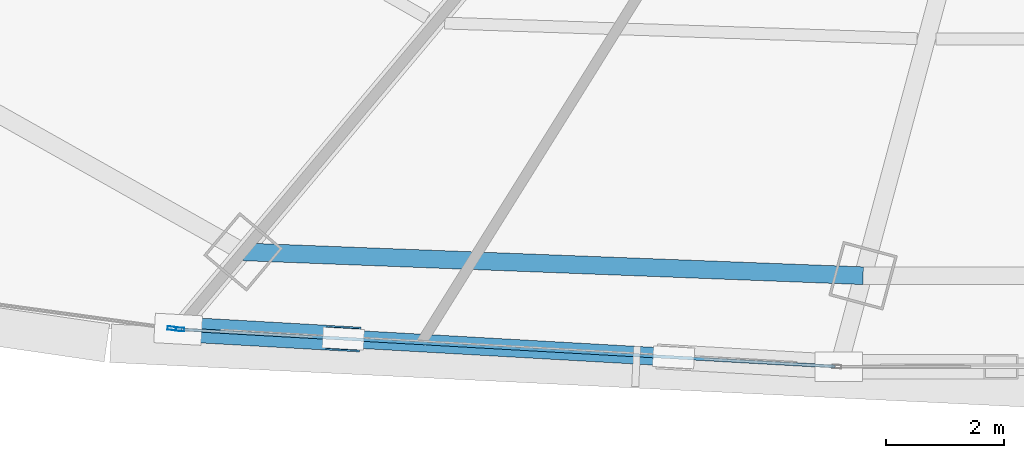
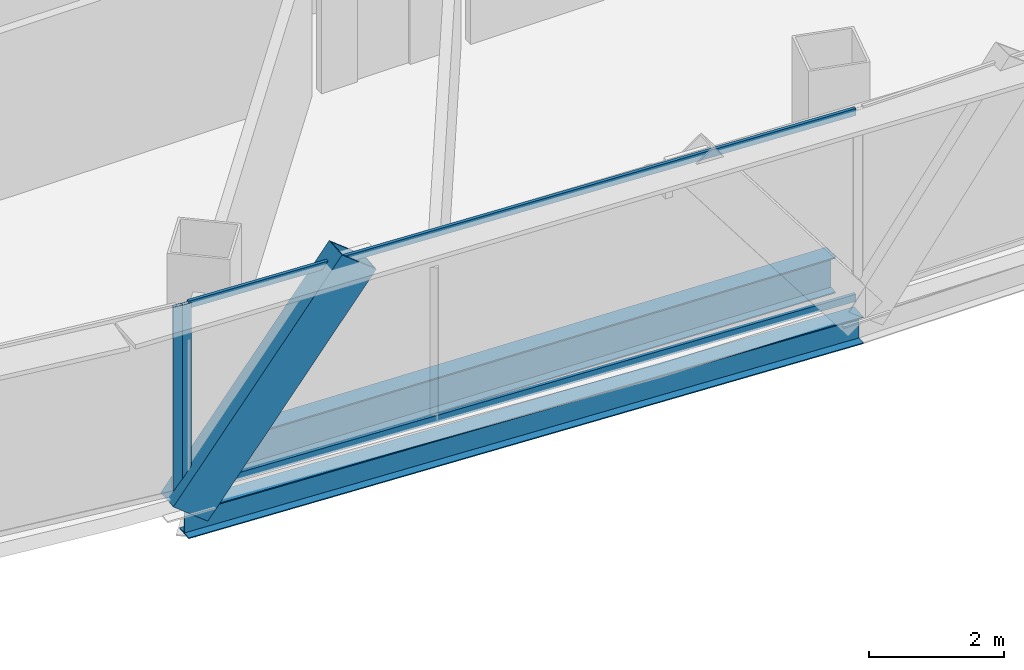
# One storey, part 6 of 39: 5 members, 2 beams, 2 elements without a shape of their own.
"""IFC4 building model written with IfcOpenShell, lengths in metres."""

from ifc_helpers import new_model, si_unit, direction, frame, origin, origin_2d, place, context, subcontext, project, spatial, hollow_rectangle, i_section, extrude, source, transform, mapped, material, layer, layer_set, material_profile, profile_set, type_object, element, aggregate, save


model = new_model("IFC4")

# Units and contexts
model_context = context("Model", 3, precision=1e-05, world=origin(), true_north=direction((0.0, 1.0)))
body_context = subcontext(model_context, "Body", "Model", "MODEL_VIEW")
ifc_project = project(units=[si_unit("LENGTHUNIT", "METRE"), si_unit("AREAUNIT", "SQUARE_METRE"), si_unit("VOLUMEUNIT", "CUBIC_METRE"), si_unit("PLANEANGLEUNIT", "RADIAN"), si_unit("MASSUNIT", "GRAM", prefix="KILO"), si_unit("THERMODYNAMICTEMPERATUREUNIT", "KELVIN"), si_unit("POWERUNIT", "WATT")], contexts=[model_context])

# Site, building, storey
site_placement = place(None, origin())
site = spatial("IfcSite", under=ifc_project, at=site_placement, CompositionType="ELEMENT")
building_placement = place(site_placement, origin())
building = spatial("IfcBuilding", under=site, at=building_placement, Name="Yunzhuo Pagoda Commons", CompositionType="ELEMENT")
storey_placement = place(building_placement, frame((0.0, 0.0, 144.550048828125)))
storey = spatial("IfcBuildingStorey", under=building, at=storey_placement, Name="L36", CompositionType="ELEMENT", Elevation=144.550048828125)

# Beams
ifc_material_1 = material(Name="Structural steel Q355B", Category="steel")
ifc_material_profile_1 = material_profile(ifc_material_1, i_section(OverallWidth=0.300048828125, OverallDepth=0.64990234375, WebThickness=0.012939453125, FlangeThickness=0.02197265625, at=origin_2d()), Name="Structural steel Q355B")
ifc_profile_set_1 = profile_set([ifc_material_profile_1], Name="Structural steel Q355B")
beam_type_1 = type_object("IfcBeamType", Name="B-RG2 Beam HN 650x300x13x22", PredefinedType="BEAM", material=ifc_profile_set_1)
shared_shape_1 = source(origin(), body_context, "Body", "SweptSolid", [
    extrude(i_section(OverallWidth=0.300048828125, OverallDepth=0.64990234375, WebThickness=0.012939453125, FlangeThickness=0.02197265625, at=origin_2d()), origin(), (0.0, 0.0, 1.0), 10.5078125),
])
beam_1_placement = place(storey_placement, frame((32.414794921875, 15.126220703125, -0.5849609375), z_axis=(0.999258632812, -0.03849915259, 0.0), x_axis=(0.03849915259, 0.999258632812, 0.0)))
element("IfcBeam", 1, at=beam_1_placement, inside=storey, type_object=beam_type_1, Name="L36 column-ring beam 1", PredefinedType="BEAM", context=body_context, shape_type="MappedRepresentation", body=[
    mapped(shared_shape_1, transform((0.0, 0.0, 0.0), scale=1.0)),
])
ifc_material_profile_2 = material_profile(ifc_material_1, i_section(OverallWidth=0.300048828125, OverallDepth=0.488037109375, WebThickness=0.010986328125, FlangeThickness=0.01806640625, at=origin_2d()), Name="Structural steel Q355B")
ifc_profile_set_2 = profile_set([ifc_material_profile_2], Name="Structural steel Q355B")
beam_type_2 = type_object("IfcBeamType", Name="B-SP1 Beam HM 488x300x11x18", PredefinedType="BEAM", material=ifc_profile_set_2)
shared_shape_2 = source(origin(), body_context, "Body", "SweptSolid", [
    extrude(i_section(OverallWidth=0.300048828125, OverallDepth=0.488037109375, WebThickness=0.010986328125, FlangeThickness=0.01806640625, at=origin_2d()), origin(), (0.0, 0.0, 1.0), 11.20556640625),
])
beam_2_placement = place(storey_placement, frame((31.314453125, 13.81494140625, -0.504150390625), z_axis=(0.998396692346, -0.056604281746, 0.0), x_axis=(0.056604281746, 0.998396692346, 0.0)))
element("IfcBeam", 2, at=beam_2_placement, inside=storey, type_object=beam_type_2, Name="L36 facade edge spandrel beam F1.1", PredefinedType="BEAM", context=body_context, shape_type="MappedRepresentation", body=[
    mapped(shared_shape_2, transform((0.0, 0.0, 0.0), scale=1.0)),
])

# Member
ifc_material_2 = material(Name="Structural steel Q420B", Category="steel")
ifc_material_profile_3 = material_profile(ifc_material_2, hollow_rectangle(XDim=0.419921875, YDim=0.719970703125, WallThickness=0.028076171875, at=origin_2d()), Name="Structural steel Q420B")
ifc_profile_set_3 = profile_set([ifc_material_profile_3], Name="Structural steel Q420B")
member_type_1 = type_object("IfcMemberType", Name="M-DL1 Brace BOX 720x420x28", PredefinedType="BRACE", material=ifc_profile_set_3)
shared_shape_3 = source(origin(), body_context, "Body", "SweptSolid", [
    extrude(hollow_rectangle(XDim=0.419921875, YDim=0.719970703125, WallThickness=0.028076171875, at=origin_2d()), origin(), (0.0, 0.0, 1.0), 4.625),
])
member_1_placement = place(storey_placement, frame((31.314453125, 13.81494140625, -0.260009765625), z_axis=(0.604744365937, -0.034312485847, 0.795680152563), x_axis=(0.056647717242, 0.998394228815, 0.0)))
element("IfcMember", 3, at=member_1_placement, inside=storey, type_object=member_type_1, Name="L36 facade diamond brace F1.1L", PredefinedType="BRACE", context=body_context, shape_type="MappedRepresentation", body=[
    mapped(shared_shape_3, transform((0.0, 0.0, 0.0), scale=1.0)),
])

# Curtain wall, member
ifc_material_3 = material(Name="Anodized aluminium 6063-T6", Category="aluminium")
ifc_layer = layer(ifc_material_3, 0.14990234375)
ifc_layer_set = layer_set([ifc_layer], Name="Anodized aluminium 6063-T6")
curtain_wall_type = type_object("IfcCurtainWallType", Name="CW-MID Mid-Zone Ribbon Curtain Wall", PredefinedType="NOTDEFINED", material=ifc_layer_set)
curtain_wall_1_placement = place(storey_placement, origin())
curtain_wall_1 = element("IfcCurtainWall", 4, at=curtain_wall_1_placement, inside=storey, type_object=curtain_wall_type, Name="L36 curtain wall CW-L36-F1B2", PredefinedType="NOTDEFINED")
ifc_material_profile_4 = material_profile(ifc_material_3, hollow_rectangle(XDim=0.06005859375, YDim=0.14990234375, WallThickness=0.00390625, at=origin_2d()), Name="Anodized aluminium 6063-T6")
ifc_profile_set_4 = profile_set([ifc_material_profile_4], Name="Anodized aluminium 6063-T6")
member_type_2 = type_object("IfcMemberType", Name="CW-MID-M Mullion RHS 150x60x4", PredefinedType="MULLION", material=ifc_profile_set_4)
shared_shape_4 = source(origin(), body_context, "Body", "SweptSolid", [
    extrude(hollow_rectangle(XDim=0.06005859375, YDim=0.14990234375, WallThickness=0.00390625, at=origin_2d()), origin(), (0.0, 0.0, 1.0), 3.419921875),
])
member_2_placement = place(storey_placement, frame((31.34423828125, 13.813232421875, 0.0), z_axis=(0.0, 0.0, 1.0), x_axis=(0.056597401536, 0.998397082397, 0.0)))
member_2 = element("IfcMember", 5, at=member_2_placement, type_object=member_type_2, Name="CW mullion 1", PredefinedType="MULLION", context=body_context, shape_type="MappedRepresentation", body=[
    mapped(shared_shape_4, transform((0.0, 0.0, 0.0), scale=1.0)),
])

curtain_wall_2_placement = place(storey_placement, origin())
curtain_wall_2 = element("IfcCurtainWall", 6, at=curtain_wall_2_placement, inside=storey, type_object=curtain_wall_type, Name="L36 curtain wall CW-L36-F1B1", PredefinedType="NOTDEFINED")
member_3_placement = place(storey_placement, frame((31.21044921875, 13.8291015625, 0.0), z_axis=(0.0, 0.0, 1.0), x_axis=(0.136220738131, 0.990678510165, 0.0)))
member_3 = element("IfcMember", 7, at=member_3_placement, type_object=member_type_2, Name="CW mullion 2", PredefinedType="MULLION", context=body_context, shape_type="MappedRepresentation", body=[
    mapped(shared_shape_4, transform((0.0, 0.0, 0.0), scale=1.0)),
])
aggregate(curtain_wall_2, [member_3])

# Member
ifc_material_profile_5 = material_profile(ifc_material_3, hollow_rectangle(XDim=0.054931640625, YDim=0.1298828125, WallThickness=0.00341796875, at=origin_2d()), Name="Anodized aluminium 6063-T6")
ifc_profile_set_5 = profile_set([ifc_material_profile_5], Name="Anodized aluminium 6063-T6")
member_type_3 = type_object("IfcMemberType", Name="CW-MID-T Transom RHS 130x55x3.5", PredefinedType="USERDEFINED", material=ifc_profile_set_5)
shared_shape_5 = source(origin(), body_context, "Body", "SweptSolid", [
    extrude(hollow_rectangle(XDim=0.054931640625, YDim=0.1298828125, WallThickness=0.00341796875, at=origin_2d()), origin(), (0.0, 0.0, 1.0), 11.085693359375),
])
member_4_placement = place(storey_placement, frame((31.374267578125, 13.8115234375, 0.02734375), z_axis=(0.998396965353, -0.056599466205, 0.0), x_axis=(0.056599466205, 0.998396965353, 0.0)))
member_4 = element("IfcMember", 8, at=member_4_placement, type_object=member_type_3, Name="CW transom 1.1", ObjectType="TRANSOM", PredefinedType="USERDEFINED", context=body_context, shape_type="MappedRepresentation", body=[
    mapped(shared_shape_5, transform((0.0, 0.0, 0.0), scale=1.0)),
])

member_5_placement = place(storey_placement, frame((31.374267578125, 13.8115234375, 3.392333984375), z_axis=(0.998396965353, -0.056599466205, 0.0), x_axis=(0.056599466205, 0.998396965353, 0.0)))
member_5 = element("IfcMember", 9, at=member_5_placement, type_object=member_type_3, Name="CW transom 1.2", ObjectType="TRANSOM", PredefinedType="USERDEFINED", context=body_context, shape_type="MappedRepresentation", body=[
    mapped(shared_shape_5, transform((0.0, 0.0, 0.0), scale=1.0)),
])

aggregate(curtain_wall_1, [member_2, member_4, member_5])

save(model, "model.ifc")
